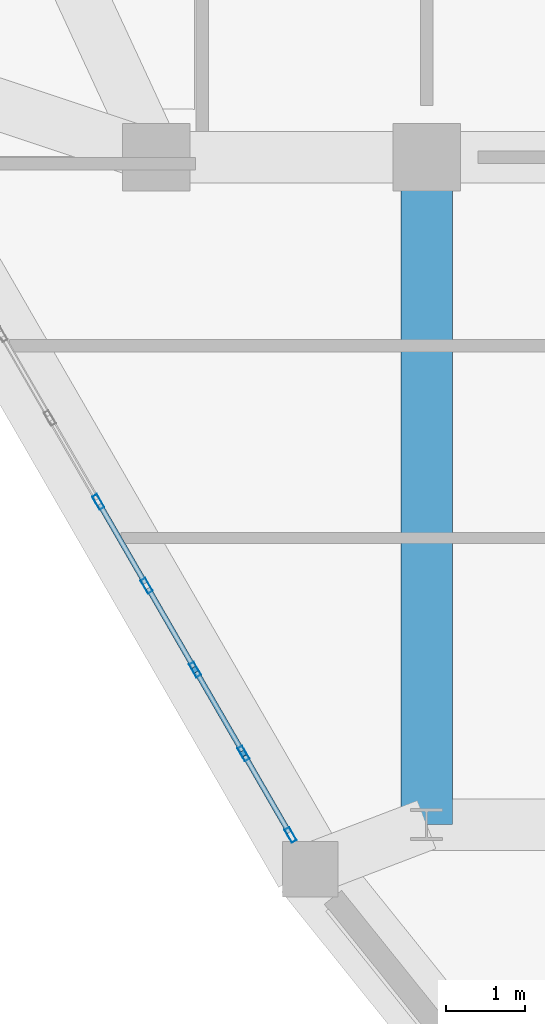
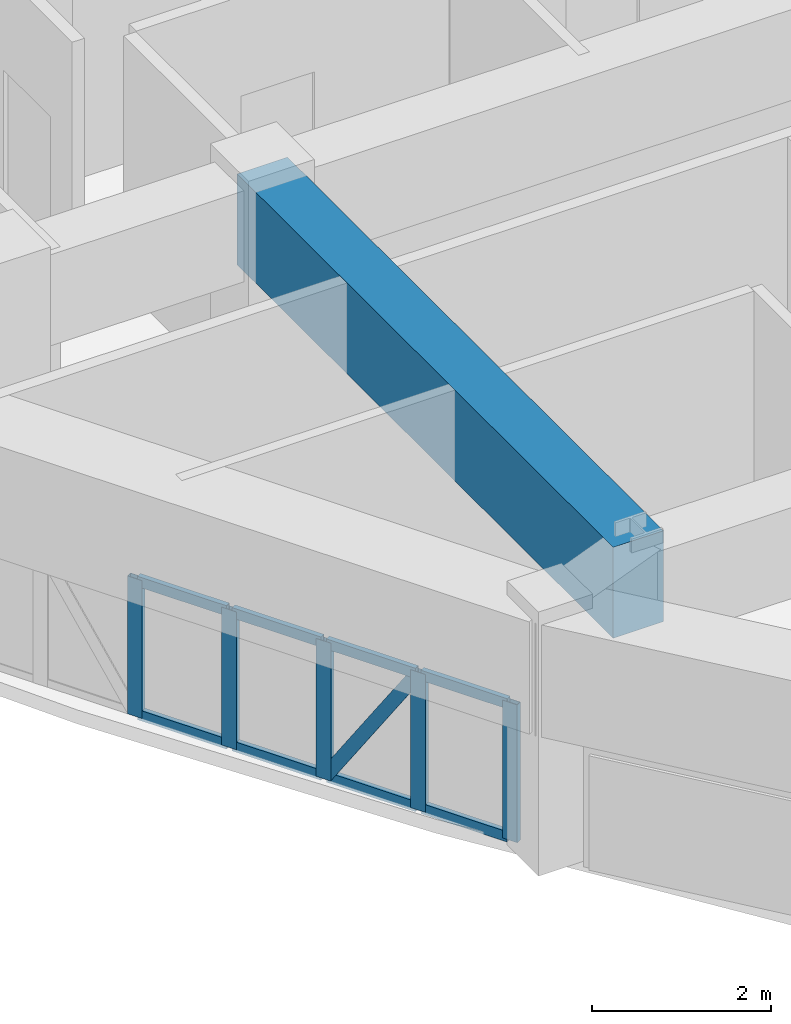
# One storey, part 2 of 14: 14 members, 1 beam, 1 element without a shape of its own.
"""IFC4 building model written with IfcOpenShell, lengths in metres."""

import ifcopenshell
import ifcopenshell.guid

model = None  # the IFC model being written
_history = None  # IfcOwnerHistory: only IFC2X3 demands one
_inside = {}  # id of a spatial element -> (the spatial element, [elements in it])
_under = {}  # id of a project, library or spatial element -> (it, [spatial elements below it])
_declared = {}  # id of a project -> (the project, [libraries it declares])
_typed = {}  # id of a type object -> (the type object, [elements of that type])
_made_of = {}  # id of a material, layer set ... -> (it, [elements and type objects made of it])


def new_model(schema):
    """Start an empty IFC model of exactly this schema.

    Asked for "IFC4X3", IfcOpenShell would pick the latest addendum, in which some entities
    have other attributes; the version numbers below select the first issue.
    IFC2X3 requires an IfcOwnerHistory on every rooted entity: one is made here for all.
    """
    global model, _history
    if schema == "IFC4X3":
        model = ifcopenshell.file(schema_version=(4, 3, 0, 0))
    else:
        model = ifcopenshell.file(schema=schema)
    _inside.clear()
    _under.clear()
    _declared.clear()
    _typed.clear()
    _made_of.clear()
    _history = None
    if model.schema == "IFC2X3":
        org = make("IfcOrganization", Name="unknown")
        user = make(
            "IfcPersonAndOrganization",
            ThePerson=make("IfcPerson", FamilyName="unknown"),
            TheOrganization=org,
        )
        app = make(
            "IfcApplication",
            ApplicationDeveloper=org,
            Version="unknown",
            ApplicationFullName="unknown",
            ApplicationIdentifier="unknown",
        )
        _history = make(
            "IfcOwnerHistory",
            OwningUser=user,
            OwningApplication=app,
            ChangeAction="ADDED",
            CreationDate=0,
        )
    return model


def make(cls, **values):
    """One entity of the class cls with the attributes given. An attribute that is None is left unset."""
    return model.create_entity(
        cls, **{name: value for name, value in values.items() if value is not None}
    )


def rooted(cls, **values):
    """An entity with a GlobalId (a new one), such as an element, a storey or a relation."""
    return make(cls, GlobalId=ifcopenshell.guid.new(), OwnerHistory=_history, **values)


def si_unit(unit_type, name, prefix=None):
    """IfcSIUnit, for example si_unit("LENGTHUNIT", "METRE", prefix="MILLI")."""
    return make("IfcSIUnit", UnitType=unit_type, Prefix=prefix, Name=name)


def derived_unit(unit_type, elements):
    """IfcDerivedUnit: a product of units, each with its exponent."""
    return make(
        "IfcDerivedUnit",
        Elements=[
            make("IfcDerivedUnitElement", Unit=unit, Exponent=power)
            for unit, power in elements
        ],
        UnitType=unit_type,
    )


def assignment(units):
    """IfcUnitAssignment: the units of a project."""
    return None if units is None else make("IfcUnitAssignment", Units=units)


def point(xyz):
    """IfcCartesianPoint."""
    return None if xyz is None else make("IfcCartesianPoint", Coordinates=xyz)


def direction(xyz):
    """IfcDirection."""
    return None if xyz is None else make("IfcDirection", DirectionRatios=xyz)


def frame(location, z_axis=None, x_axis=None):
    """IfcAxis2Placement3D, a coordinate frame: its origin and axes. An axis left out is left unset."""
    return make(
        "IfcAxis2Placement3D",
        Location=point(location),
        Axis=direction(z_axis),
        RefDirection=direction(x_axis),
    )


def frame_2d(location, x_axis=None):
    """IfcAxis2Placement2D, a coordinate frame in the plane: its origin and x axis."""
    return make(
        "IfcAxis2Placement2D", Location=point(location), RefDirection=direction(x_axis)
    )


def origin():
    """The frame at (0, 0, 0) with its axes left unset."""
    return frame((0.0, 0.0, 0.0))


def origin_2d():
    """The frame at (0, 0) in the plane with its x axis left unset."""
    return frame_2d((0.0, 0.0))


def place(relative_to, where):
    """IfcLocalPlacement: puts the frame where relative to a parent placement (None: the world)."""
    return make(
        "IfcLocalPlacement", PlacementRelTo=relative_to, RelativePlacement=where
    )


def context(
    kind, dimensions, precision=None, world=None, true_north=None, identifier=None
):
    """IfcGeometricRepresentationContext, for example the 3D "Model" context."""
    return make(
        "IfcGeometricRepresentationContext",
        ContextIdentifier=identifier,
        ContextType=kind,
        CoordinateSpaceDimension=dimensions,
        Precision=precision,
        WorldCoordinateSystem=world,
        TrueNorth=true_north,
    )


def subcontext(parent, identifier, kind, view, scale=None):
    """IfcGeometricRepresentationSubContext, for example "Body" below "Model"."""
    return make(
        "IfcGeometricRepresentationSubContext",
        ContextIdentifier=identifier,
        ContextType=kind,
        ParentContext=parent,
        TargetScale=scale,
        TargetView=view,
    )


def project(units=None, contexts=None):
    """IfcProject with its units and contexts."""
    return rooted(
        "IfcProject",
        Name="project",
        RepresentationContexts=contexts,
        UnitsInContext=assignment(units),
    )


def spatial(cls, under=None, at=None, **own):
    """A site, building, storey or space (cls), placed at a placement, below another one or the project."""
    s = rooted(cls, ObjectPlacement=at, **own)
    if under is not None:
        _under.setdefault(under.id(), (under, []))[1].append(s)
    return s


def profile(cls, at=None, kind="AREA", **sizes):
    """A parametric profile (cls). Its sizes go by their IFC names, for example OverallWidth=200.0."""
    return make(cls, ProfileType=kind, Position=at, **sizes)


def rectangle(**sizes):
    """IfcRectangleProfileDef."""
    return profile("IfcRectangleProfileDef", **sizes)


def hollow_rectangle(**sizes):
    """IfcRectangleHollowProfileDef."""
    return profile("IfcRectangleHollowProfileDef", **sizes)


def extrude(swept, where, along, depth):
    """IfcExtrudedAreaSolid: the profile swept, set in the frame where, extruded along a direction by depth."""
    return make(
        "IfcExtrudedAreaSolid",
        SweptArea=swept,
        Position=where,
        ExtrudedDirection=direction(along),
        Depth=depth,
    )


def shape(context_of_items, identifier, shape_type, items):
    """IfcShapeRepresentation: the items that make up one representation, for example the "Body"."""
    return make(
        "IfcShapeRepresentation",
        ContextOfItems=context_of_items,
        RepresentationIdentifier=identifier,
        RepresentationType=shape_type,
        Items=items,
    )


def source(mapping_origin, context_of_items, identifier, shape_type, items):
    """IfcRepresentationMap: a shape defined once, which mapped items show again and again."""
    return make(
        "IfcRepresentationMap",
        MappingOrigin=mapping_origin,
        MappedRepresentation=shape(context_of_items, identifier, shape_type, items),
    )


def transform(
    local_origin,
    x_axis=None,
    y_axis=None,
    z_axis=None,
    scale=None,
    scale2=None,
    scale3=None,
    uniform=True,
):
    """IfcCartesianTransformationOperator3D, or its non-uniform kind. x_axis, y_axis, z_axis: its Axis1, 2, 3."""
    if uniform:
        return make(
            "IfcCartesianTransformationOperator3D",
            Axis1=direction(x_axis),
            Axis2=direction(y_axis),
            LocalOrigin=point(local_origin),
            Scale=scale,
            Axis3=direction(z_axis),
        )
    return make(
        "IfcCartesianTransformationOperator3DnonUniform",
        Axis1=direction(x_axis),
        Axis2=direction(y_axis),
        LocalOrigin=point(local_origin),
        Scale=scale,
        Axis3=direction(z_axis),
        Scale2=scale2,
        Scale3=scale3,
    )


def mapped(mapping_source, mapping_target):
    """IfcMappedItem: shows the shape of a source again, moved by a transform."""
    return make(
        "IfcMappedItem", MappingSource=mapping_source, MappingTarget=mapping_target
    )


def material(Name=None, Category=None):
    """IfcMaterial."""
    return make("IfcMaterial", Name=Name, Category=Category)


def layer(
    of_material, thickness, ventilated=None, Name=None, Category=None, Priority=None
):
    """IfcMaterialLayer: one layer of a wall or slab, of a material (None: an air gap)."""
    return make(
        "IfcMaterialLayer",
        Material=of_material,
        LayerThickness=thickness,
        IsVentilated=ventilated,
        Name=Name,
        Category=Category,
        Priority=Priority,
    )


def layer_set(layers, Name=None):
    """IfcMaterialLayerSet."""
    return make("IfcMaterialLayerSet", MaterialLayers=layers, LayerSetName=Name)


def material_profile(
    of_material, cross_section, Name=None, Category=None, Priority=None
):
    """IfcMaterialProfile: a cross section and its material."""
    return make(
        "IfcMaterialProfile",
        Name=Name,
        Material=of_material,
        Profile=cross_section,
        Priority=Priority,
        Category=Category,
    )


def profile_set(profiles, Name=None, composite=None):
    """IfcMaterialProfileSet."""
    return make(
        "IfcMaterialProfileSet",
        Name=Name,
        MaterialProfiles=profiles,
        CompositeProfile=composite,
    )


def made_of(thing, what):
    """Note that an element or type object is made of a material, layer set ...; save() writes the relation."""
    if what is not None:
        _made_of.setdefault(what.id(), (what, []))[1].append(thing)
    return thing


def type_object(cls, material=None, **own):
    """A type object (cls), such as IfcWallType, which elements share."""
    return made_of(rooted(cls, **own), material)


def element(
    cls,
    number,
    at=None,
    inside=None,
    cuts=None,
    type_object=None,
    material=None,
    context=None,
    identifier="Body",
    shape_type=None,
    held_by="IfcProductDefinitionShape",
    body=None,
    shapes=None,
    **own,
):
    """One element of the class cls, such as IfcWall. Its Tag is "e" and its number.

    at: its placement. inside: the storey or other place that contains it. cuts: it is an
    opening in that element (IfcRelVoidsElement). A single representation is given by context,
    identifier, shape_type and body (its items); several are given by shapes. held_by: the class
    of the entity that holds the representations. save() writes the other relations.
    """
    e = rooted(cls, Tag="e%d" % number, ObjectPlacement=at, **own)
    if body is not None:
        shapes = [shape(context, identifier, shape_type, body)]
    if shapes is not None:
        e.Representation = make(held_by, Representations=shapes)
    if inside is not None:
        _inside.setdefault(inside.id(), (inside, []))[1].append(e)
    if cuts is not None:
        rooted(
            "IfcRelVoidsElement", RelatingBuildingElement=cuts, RelatedOpeningElement=e
        )
    if type_object is not None:
        _typed.setdefault(type_object.id(), (type_object, []))[1].append(e)
    return made_of(e, material)


def aggregate(whole, parts):
    """IfcRelAggregates: a whole, such as a stair, and the parts it consists of."""
    return rooted("IfcRelAggregates", RelatingObject=whole, RelatedObjects=parts)


def save(model, path):
    """Write the relations noted so far, then the file.

    IfcRelAggregates (storeys below a building ...), IfcRelContainedInSpatialStructure (elements
    in a storey), IfcRelDefinesByType, IfcRelAssociatesMaterial and IfcRelDeclares: one each for
    every whole, place, type object, material and project.
    """
    for whole, parts in _under.values():
        aggregate(whole, parts)
    for where, things in _inside.values():
        rooted(
            "IfcRelContainedInSpatialStructure",
            RelatedElements=things,
            RelatingStructure=where,
        )
    for kind, things in _typed.values():
        rooted("IfcRelDefinesByType", RelatedObjects=things, RelatingType=kind)
    for what, things in _made_of.values():
        rooted("IfcRelAssociatesMaterial", RelatedObjects=things, RelatingMaterial=what)
    for by, libraries in _declared.values():
        rooted("IfcRelDeclares", RelatingContext=by, RelatedDefinitions=libraries)
    model.write(path)


model = new_model("IFC4")

# Units and contexts
model_context = context("Model", 3, precision=1e-05, world=origin(), true_north=direction((0.0, 1.0)))
body_context = subcontext(model_context, "Body", "Model", "MODEL_VIEW")
ifc_project = project(units=[si_unit("LENGTHUNIT", "METRE"), si_unit("AREAUNIT", "SQUARE_METRE"), si_unit("VOLUMEUNIT", "CUBIC_METRE"), si_unit("PLANEANGLEUNIT", "RADIAN"), si_unit("MASSUNIT", "GRAM", prefix="KILO"), derived_unit("THERMALTRANSMITTANCEUNIT", [(si_unit("POWERUNIT", "WATT"), 1), (si_unit("LENGTHUNIT", "METRE"), -2), (si_unit("THERMODYNAMICTEMPERATUREUNIT", "KELVIN"), -1)])], contexts=[model_context])

# Site, building, storey
site_placement = place(None, origin())
site = spatial("IfcSite", under=ifc_project, at=site_placement, CompositionType="ELEMENT")
building_placement = place(site_placement, origin())
building = spatial("IfcBuilding", under=site, at=building_placement, Name="Korsvarv Bourse and Concert Hall", CompositionType="ELEMENT")
storey_placement = place(building_placement, frame((0.0, 0.0, 257.39990234375)))
storey = spatial("IfcBuildingStorey", under=building, at=storey_placement, Name="L67", CompositionType="ELEMENT", Elevation=257.39990234375)

# Beam
ifc_material_1 = material(Name="Concrete C50/60", Category="concrete")
ifc_material_profile_1 = material_profile(ifc_material_1, rectangle(XDim=0.64990234375, YDim=1.239990234375, at=origin_2d()), Name="RC-BM 650x1240")
ifc_profile_set_1 = profile_set([ifc_material_profile_1], Name="Concrete C50/60")
beam_type = type_object("IfcBeamType", Name="BM-TR-SPN", PredefinedType="BEAM", material=ifc_profile_set_1)
shared_shape_1 = source(origin(), body_context, "Body", "SweptSolid", [
    extrude(rectangle(XDim=0.64990234375, YDim=1.239990234375, at=origin_2d()), origin(), (0.0, 0.0, 1.0), 8.39990234375),
])
beam_placement = place(storey_placement, frame((27.60009765625, 24.0, 2.7900390625), z_axis=(0.0, 1.0, 0.0), x_axis=(-1.0, 0.0, 0.0)))
element("IfcBeam", 1, at=beam_placement, inside=storey, type_object=beam_type, Name="L67 beam B-TRS", PredefinedType="BEAM", context=body_context, shape_type="MappedRepresentation", body=[
    mapped(shared_shape_1, transform((0.0, 0.0, 0.0), scale=1.0)),
])

# Curtain wall, members
ifc_material_2 = material(Name="Anodised aluminium and triple low-E glazing", Category="glass")
ifc_layer = layer(ifc_material_2, 0.199951171875)
ifc_layer_set = layer_set([ifc_layer], Name="Anodised aluminium and triple low-E glazing")
curtain_wall_type = type_object("IfcCurtainWallType", Name="CW-SYS-3", PredefinedType="NOTDEFINED", material=ifc_layer_set)
curtain_wall_placement = place(storey_placement, origin())
curtain_wall = element("IfcCurtainWall", 2, at=curtain_wall_placement, inside=storey, type_object=curtain_wall_type, Name="L67 CW3 curtain wall CW-L67-F07", PredefinedType="NOTDEFINED")
ifc_material_3 = material(Name="Extruded aluminium EN AW-6063 T66", Category="aluminium")
ifc_material_profile_2 = material_profile(ifc_material_3, hollow_rectangle(XDim=0.06494140625, YDim=0.139892578125, WallThickness=0.00390625, at=origin_2d()), Name="ALU-T 65x140")
ifc_profile_set_2 = profile_set([ifc_material_profile_2], Name="Extruded aluminium EN AW-6063 T66")
member_type_1 = type_object("IfcMemberType", Name="CWT-140", PredefinedType="USERDEFINED", material=ifc_profile_set_2)
shared_shape_2 = source(origin(), body_context, "Body", "SweptSolid", [
    extrude(hollow_rectangle(XDim=0.06494140625, YDim=0.139892578125, WallThickness=0.00390625, at=origin_2d()), origin(), (0.0, 0.0, 1.0), 1.113525390625),
])
member_1_placement = place(storey_placement, frame((25.313232421875, 24.864501953125, 0.03271484375), z_axis=(0.500076692731, -0.865981120687, 0.0), x_axis=(0.865981120687, 0.500076692731, 0.0)))
member_1 = element("IfcMember", 3, at=member_1_placement, type_object=member_type_1, Name="CW3 transom 9.1", ObjectType="TRANSOM", PredefinedType="USERDEFINED", context=body_context, shape_type="MappedRepresentation", body=[
    mapped(shared_shape_2, transform((0.0, 0.0, 0.0), scale=1.0)),
])
member_2_placement = place(storey_placement, frame((25.313232421875, 24.864501953125, 1.84765625), z_axis=(0.500076692731, -0.865981120687, 0.0), x_axis=(0.865981120687, 0.500076692731, 0.0)))
member_2 = element("IfcMember", 4, at=member_2_placement, type_object=member_type_1, Name="CW3 transom 9.2", ObjectType="TRANSOM", PredefinedType="USERDEFINED", context=body_context, shape_type="MappedRepresentation", body=[
    mapped(shared_shape_2, transform((0.0, 0.0, 0.0), scale=1.0)),
])
shared_shape_3 = source(origin(), body_context, "Body", "SweptSolid", [
    extrude(hollow_rectangle(XDim=0.06494140625, YDim=0.139892578125, WallThickness=0.00390625, at=origin_2d()), origin(), (0.0, 0.0, 1.0), 1.148681640625),
])
member_3_placement = place(storey_placement, frame((23.4853515625, 28.03076171875, 0.03271484375), z_axis=(0.49988803956, -0.866090034526, 0.0), x_axis=(0.866090034526, 0.49988803956, 0.0)))
member_3 = element("IfcMember", 5, at=member_3_placement, type_object=member_type_1, Name="CW3 transom 6.1", ObjectType="TRANSOM", PredefinedType="USERDEFINED", context=body_context, shape_type="MappedRepresentation", body=[
    mapped(shared_shape_3, transform((0.0, 0.0, 0.0), scale=1.0)),
])
member_4_placement = place(storey_placement, frame((23.4853515625, 28.03076171875, 1.84765625), z_axis=(0.49988803956, -0.866090034526, 0.0), x_axis=(0.866090034526, 0.49988803956, 0.0)))
member_4 = element("IfcMember", 6, at=member_4_placement, type_object=member_type_1, Name="CW3 transom 6.2", ObjectType="TRANSOM", PredefinedType="USERDEFINED", context=body_context, shape_type="MappedRepresentation", body=[
    mapped(shared_shape_3, transform((0.0, 0.0, 0.0), scale=1.0)),
])
member_5_placement = place(storey_placement, frame((24.0947265625, 26.975341796875, 0.03271484375), z_axis=(0.49988803956, -0.866090034526, 0.0), x_axis=(0.866090034526, 0.49988803956, 0.0)))
member_5 = element("IfcMember", 7, at=member_5_placement, type_object=member_type_1, Name="CW3 transom 7.1", ObjectType="TRANSOM", PredefinedType="USERDEFINED", context=body_context, shape_type="MappedRepresentation", body=[
    mapped(shared_shape_3, transform((0.0, 0.0, 0.0), scale=1.0)),
])
member_6_placement = place(storey_placement, frame((24.0947265625, 26.975341796875, 1.84765625), z_axis=(0.49988803956, -0.866090034526, 0.0), x_axis=(0.866090034526, 0.49988803956, 0.0)))
member_6 = element("IfcMember", 8, at=member_6_placement, type_object=member_type_1, Name="CW3 transom 7.2", ObjectType="TRANSOM", PredefinedType="USERDEFINED", context=body_context, shape_type="MappedRepresentation", body=[
    mapped(shared_shape_3, transform((0.0, 0.0, 0.0), scale=1.0)),
])
member_7_placement = place(storey_placement, frame((24.703857421875, 25.919921875, 0.03271484375), z_axis=(0.500139482584, -0.865944858499, 0.0), x_axis=(0.865944858499, 0.500139482584, 0.0)))
member_7 = element("IfcMember", 9, at=member_7_placement, type_object=member_type_1, Name="CW3 transom 8.1", ObjectType="TRANSOM", PredefinedType="USERDEFINED", context=body_context, shape_type="MappedRepresentation", body=[
    mapped(shared_shape_3, transform((0.0, 0.0, 0.0), scale=1.0)),
])
member_8_placement = place(storey_placement, frame((24.703857421875, 25.919921875, 1.84765625), z_axis=(0.500139482584, -0.865944858499, 0.0), x_axis=(0.865944858499, 0.500139482584, 0.0)))
member_8 = element("IfcMember", 10, at=member_8_placement, type_object=member_type_1, Name="CW3 transom 8.2", ObjectType="TRANSOM", PredefinedType="USERDEFINED", context=body_context, shape_type="MappedRepresentation", body=[
    mapped(shared_shape_3, transform((0.0, 0.0, 0.0), scale=1.0)),
])
ifc_material_profile_3 = material_profile(ifc_material_3, hollow_rectangle(XDim=0.070068359375, YDim=0.18994140625, WallThickness=0.0048828125, at=origin_2d()), Name="ALU-M 70x190")
ifc_profile_set_3 = profile_set([ifc_material_profile_3], Name="Extruded aluminium EN AW-6063 T66")
member_type_2 = type_object("IfcMemberType", Name="CWM-190", PredefinedType="MULLION", material=ifc_profile_set_3)
shared_shape_4 = source(origin(), body_context, "Body", "SweptSolid", [
    extrude(hollow_rectangle(XDim=0.070068359375, YDim=0.18994140625, WallThickness=0.0048828125, at=origin_2d()), origin(), (0.0, 0.0, 1.0), 1.880126953125),
])
member_9_placement = place(storey_placement, frame((23.4677734375, 28.06103515625, 0.0), z_axis=(0.0, 0.0, 1.0), x_axis=(0.866023274265, 0.500003688417, 0.0)))
member_9 = element("IfcMember", 11, at=member_9_placement, type_object=member_type_2, Name="CW3 mullion 6", PredefinedType="MULLION", context=body_context, shape_type="MappedRepresentation", body=[
    mapped(shared_shape_4, transform((0.0, 0.0, 0.0), scale=1.0)),
])
member_10_placement = place(storey_placement, frame((24.0771484375, 27.005615234375, 0.0), z_axis=(0.0, 0.0, 1.0), x_axis=(0.866023274265, 0.500003688417, 0.0)))
member_10 = element("IfcMember", 12, at=member_10_placement, type_object=member_type_2, Name="CW3 mullion 7", PredefinedType="MULLION", context=body_context, shape_type="MappedRepresentation", body=[
    mapped(shared_shape_4, transform((0.0, 0.0, 0.0), scale=1.0)),
])
member_11_placement = place(storey_placement, frame((24.6865234375, 25.9501953125, 0.0), z_axis=(0.0, 0.0, 1.0), x_axis=(0.866023274265, 0.500003688417, 0.0)))
member_11 = element("IfcMember", 13, at=member_11_placement, type_object=member_type_2, Name="CW3 mullion 8", PredefinedType="MULLION", context=body_context, shape_type="MappedRepresentation", body=[
    mapped(shared_shape_4, transform((0.0, 0.0, 0.0), scale=1.0)),
])
member_12_placement = place(storey_placement, frame((25.2958984375, 24.894775390625, 0.0), z_axis=(0.0, 0.0, 1.0), x_axis=(0.866023274265, 0.500003688417, 0.0)))
member_12 = element("IfcMember", 14, at=member_12_placement, type_object=member_type_2, Name="CW3 mullion 9", PredefinedType="MULLION", context=body_context, shape_type="MappedRepresentation", body=[
    mapped(shared_shape_4, transform((0.0, 0.0, 0.0), scale=1.0)),
])
member_13_placement = place(storey_placement, frame((25.8876953125, 23.869873046875, 0.0), z_axis=(0.0, 0.0, 1.0), x_axis=(0.866023274265, 0.500003688417, 0.0)))
member_13 = element("IfcMember", 15, at=member_13_placement, type_object=member_type_2, Name="CW3 mullion 10", PredefinedType="MULLION", context=body_context, shape_type="MappedRepresentation", body=[
    mapped(shared_shape_4, transform((0.0, 0.0, 0.0), scale=1.0)),
])
ifc_material_profile_4 = material_profile(ifc_material_3, hollow_rectangle(XDim=0.06494140625, YDim=0.1650390625, WallThickness=0.0048828125, at=origin_2d()), Name="ALU-M 65x165")
ifc_profile_set_4 = profile_set([ifc_material_profile_4], Name="Extruded aluminium EN AW-6063 T66")
member_type_3 = type_object("IfcMemberType", Name="CWM-165", PredefinedType="MULLION", material=ifc_profile_set_4)
shared_shape_5 = source(origin(), body_context, "Body", "SweptSolid", [
    extrude(hollow_rectangle(XDim=0.06494140625, YDim=0.1650390625, WallThickness=0.0048828125, at=origin_2d()), origin(), (0.0, 0.0, 1.0), 2.09326171875),
])
member_14_placement = place(storey_placement, frame((24.703857421875, 25.919921875, 0.065185546875), z_axis=(0.274432781536, -0.475154760722, 0.836011125394), x_axis=(0.865944858499, 0.500139482584, 0.0)))
member_14 = element("IfcMember", 16, at=member_14_placement, type_object=member_type_3, Name="CW3 diagonal mullion 8", PredefinedType="MULLION", context=body_context, shape_type="MappedRepresentation", body=[
    mapped(shared_shape_5, transform((0.0, 0.0, 0.0), scale=1.0)),
])
aggregate(curtain_wall, [member_9, member_10, member_11, member_12, member_13, member_3, member_4, member_5, member_6, member_7, member_8, member_14, member_1, member_2])

save(model, "model.ifc")
